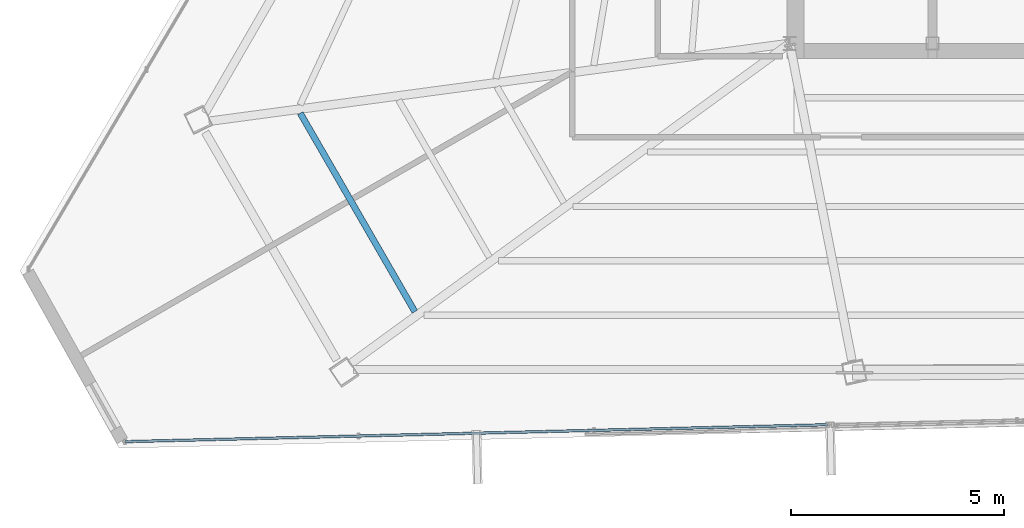
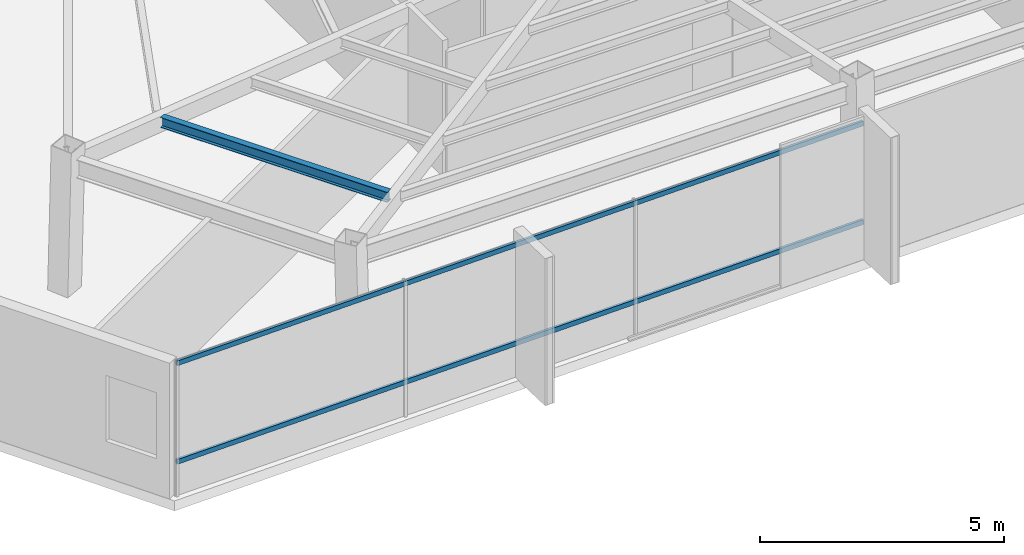
# One storey, part 4 of 45: 2 members, 1 beam, 1 element without a shape of its own.
"""IFC4 building model written with IfcOpenShell, lengths in metres."""

from ifc_helpers import new_model, si_unit, direction, frame, origin, origin_2d, place, context, subcontext, project, spatial, hollow_rectangle, i_section, extrude, source, transform, mapped, material, material_profile, profile_set, type_object, type_shapes, element, aggregate, save


model = new_model("IFC4")

# Units and contexts
model_context = context("Model", 3, precision=1e-05, world=origin(), true_north=direction((0.0, 1.0)))
body_context = subcontext(model_context, "Body", "Model", "MODEL_VIEW")
ifc_project = project(units=[si_unit("LENGTHUNIT", "METRE"), si_unit("AREAUNIT", "SQUARE_METRE"), si_unit("VOLUMEUNIT", "CUBIC_METRE"), si_unit("PLANEANGLEUNIT", "RADIAN"), si_unit("MASSUNIT", "GRAM", prefix="KILO")], contexts=[model_context])

# Site, building, storey
site_placement = place(None, origin())
site = spatial("IfcSite", under=ifc_project, at=site_placement, CompositionType="ELEMENT")
building_placement = place(site_placement, origin())
building = spatial("IfcBuilding", under=site, at=building_placement, Name="Caelisora Broadcast Tower", CompositionType="ELEMENT")
storey_placement = place(building_placement, frame((0.0, 0.0, 273.64990234375)))
storey = spatial("IfcBuildingStorey", under=building, at=storey_placement, Name="L72", CompositionType="ELEMENT", Elevation=273.64990234375)

# Beam
ifc_material_1 = material(Name="Steel Grade 350 (AS/NZS 3679.1)", Category="steel")
ifc_material_profile_1 = material_profile(ifc_material_1, i_section(OverallWidth=0.14599609375, OverallDepth=0.256103515625, WebThickness=0.00634765625, FlangeThickness=0.010986328125, at=origin_2d()), Name="Steel Grade 350 (AS/NZS 3679.1)")
ifc_profile_set_1 = profile_set([ifc_material_profile_1], Name="Steel Grade 350 (AS/NZS 3679.1)")
beam_type = type_object("IfcBeamType", Name="SB04", PredefinedType="JOIST", material=ifc_profile_set_1)
shared_shape_1 = source(origin(), body_context, "Body", "SweptSolid", [
    extrude(i_section(OverallWidth=0.14599609375, OverallDepth=0.256103515625, WebThickness=0.00634765625, FlangeThickness=0.010986328125, at=origin_2d()), origin(), (0.0, 0.0, 1.0), 5.375),
])
type_shapes(beam_type, [shared_shape_1])
beam_placement = place(storey_placement, frame((19.017578125, 15.760986328125, 3.27197265625), z_axis=(0.500008168067, -0.866020687897, 0.0), x_axis=(0.866020687897, 0.500008168067, 0.0)))
element("IfcBeam", 1, at=beam_placement, inside=storey, type_object=beam_type, Name="L72 beam SB04", PredefinedType="JOIST", context=body_context, shape_type="MappedRepresentation", body=[
    mapped(shared_shape_1, transform((0.0, 0.0, 0.0), scale=1.0)),
])

# Curtain wall, members
ifc_material_2 = material(Name="Unitised Aluminium and Low-E Glass Curtain Wall", Category="glass")
curtain_wall_type = type_object("IfcCurtainWallType", Name="CW-Z5", PredefinedType="NOTDEFINED", material=ifc_material_2)
curtain_wall_placement = place(storey_placement, origin())
curtain_wall = element("IfcCurtainWall", 2, at=curtain_wall_placement, inside=storey, type_object=curtain_wall_type, Name="L72 curtain wall CW-Z5", PredefinedType="NOTDEFINED")
ifc_material_3 = material(Name="Aluminium 6063-T6 Anodised Terracotta Bronze", Category="aluminium")
ifc_material_profile_2 = material_profile(ifc_material_3, hollow_rectangle(XDim=0.06005859375, YDim=0.1201171875, WallThickness=0.0029296875, at=origin_2d()), Name="Aluminium 6063-T6 Anodised Terracotta Bronze")
ifc_profile_set_2 = profile_set([ifc_material_profile_2], Name="Aluminium 6063-T6 Anodised Terracotta Bronze")
member_type = type_object("IfcMemberType", Name="CWT-03", PredefinedType="USERDEFINED", material=ifc_profile_set_2)
shared_shape_2 = source(origin(), body_context, "Body", "SweptSolid", [
    extrude(hollow_rectangle(XDim=0.06005859375, YDim=0.1201171875, WallThickness=0.0029296875, at=origin_2d()), origin(), (0.0, 0.0, 1.0), 16.492919921875),
])
type_shapes(member_type, [shared_shape_2])
member_1_placement = place(storey_placement, frame((31.39208984375, 8.45263671875, 0.85009765625), z_axis=(-0.999709576489, -0.024099018147, 0.0), x_axis=(0.024099018147, -0.999709576489, 0.0)))
member_1 = element("IfcMember", 3, at=member_1_placement, type_object=member_type, Name="L72-CW-B07 transom #1", ObjectType="TRANSOM", PredefinedType="USERDEFINED", context=body_context, shape_type="MappedRepresentation", body=[
    mapped(shared_shape_2, transform((0.0, 0.0, 0.0), scale=1.0)),
])
member_2_placement = place(storey_placement, frame((31.39208984375, 8.45263671875, 3.320068359375), z_axis=(-0.999709576489, -0.024099018147, 0.0), x_axis=(0.024099018147, -0.999709576489, 0.0)))
member_2 = element("IfcMember", 4, at=member_2_placement, type_object=member_type, Name="L72-CW-B07 transom #2", ObjectType="TRANSOM", PredefinedType="USERDEFINED", context=body_context, shape_type="MappedRepresentation", body=[
    mapped(shared_shape_2, transform((0.0, 0.0, 0.0), scale=1.0)),
])
aggregate(curtain_wall, [member_1, member_2])

save(model, "model.ifc")
